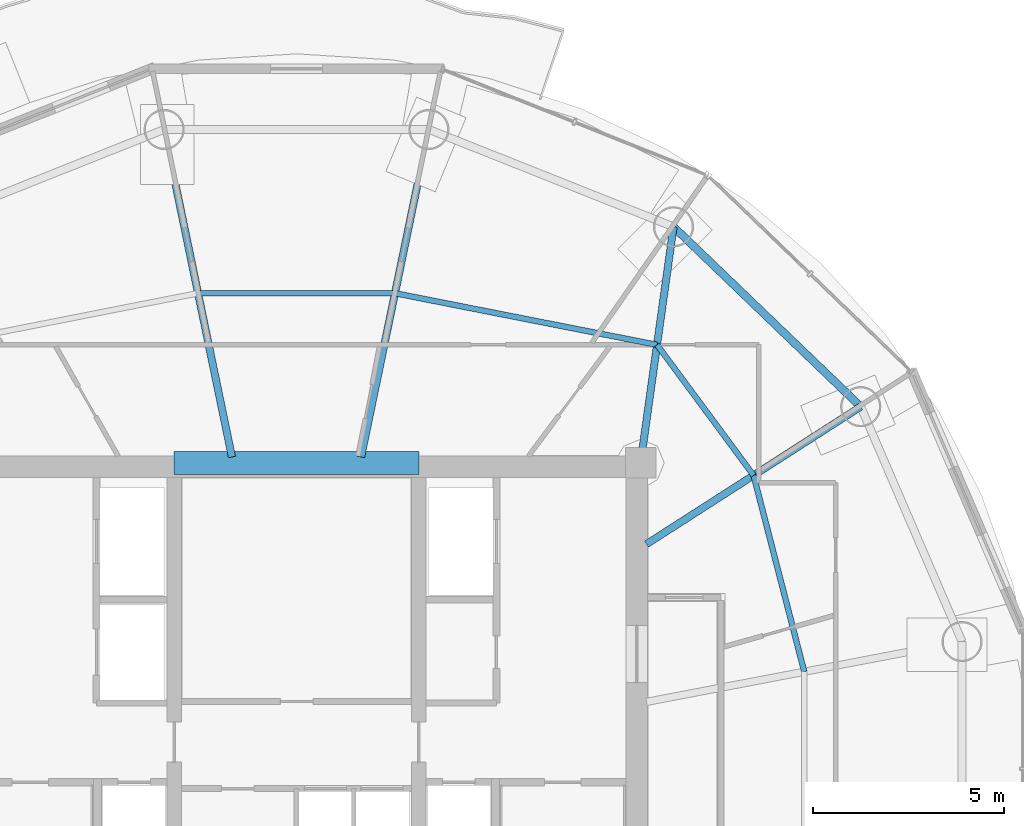
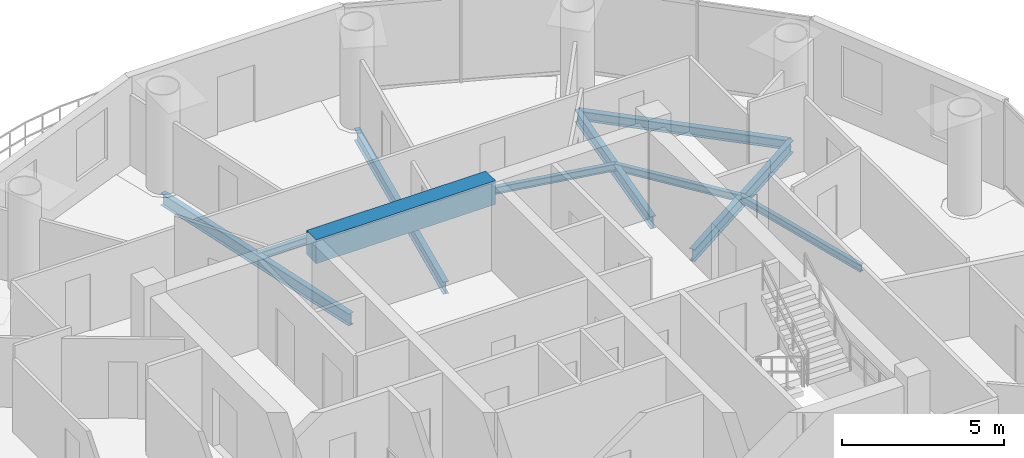
# One storey, part 10 of 23: 10 beams.
"""IFC4 building model written with IfcOpenShell, lengths in metres."""

from ifc_helpers import new_model, si_unit, direction, frame, origin, origin_2d, place, context, subcontext, project, spatial, rectangle, i_section, extrude, material, material_profile, profile_set, type_object, element, save


model = new_model("IFC4")

# Units and contexts
model_context = context("Model", 3, precision=1e-05, world=origin(), true_north=direction((-0.2419218956, 0.970295726276)))
body_context = subcontext(model_context, "Body", "Model", "MODEL_VIEW")
ifc_project = project(units=[si_unit("LENGTHUNIT", "METRE"), si_unit("AREAUNIT", "SQUARE_METRE"), si_unit("VOLUMEUNIT", "CUBIC_METRE"), si_unit("PLANEANGLEUNIT", "RADIAN"), si_unit("MASSUNIT", "GRAM", prefix="KILO")], contexts=[model_context])

# Site, building, storey
site_placement = place(None, origin())
site = spatial("IfcSite", under=ifc_project, at=site_placement, CompositionType="ELEMENT")
building_placement = place(site_placement, origin())
building = spatial("IfcBuilding", under=site, at=building_placement, Name="Cobrevalo Terracotta Tower", CompositionType="ELEMENT")
storey_placement = place(building_placement, frame((0.0, 0.0, 296.949951171875)))
storey = spatial("IfcBuildingStorey", under=building, at=storey_placement, Name="L78", CompositionType="ELEMENT", Elevation=296.949951171875)

# Beams
ifc_material_1 = material(Name="Concrete C60", Category="concrete")
ifc_material_profile_1 = material_profile(ifc_material_1, rectangle(XDim=0.60009765625, YDim=0.89990234375, at=origin_2d()), Name="RC CB 600x900")
ifc_profile_set_1 = profile_set([ifc_material_profile_1], Name="Concrete C60")
beam_type_1 = type_object("IfcBeamType", Name="Structural Beam RC CB 600x900 (Concrete C60)", PredefinedType="BEAM", material=ifc_profile_set_1)
beam_1_placement = place(storey_placement, frame((34.800048828125, 34.800048828125, 2.85009765625), z_axis=(1.0, 0.0, 0.0), x_axis=(0.0, 1.0, 0.0)))
element("IfcBeam", 1, at=beam_1_placement, inside=storey, type_object=beam_type_1, Name="L78 core coupling beam 2", PredefinedType="BEAM", context=body_context, shape_type="SweptSolid", body=[
    extrude(rectangle(XDim=0.60009765625, YDim=0.89990234375, at=origin_2d()), origin(), (0.0, 0.0, 1.0), 6.39990234375),
])
ifc_material_2 = material(Name="Steel S355", Category="steel")
ifc_material_profile_2 = material_profile(ifc_material_2, i_section(OverallWidth=0.19091796875, OverallDepth=0.4599609375, WebThickness=0.010009765625, FlangeThickness=0.01611328125, at=origin_2d()), Name="W 460x82")
ifc_profile_set_2 = profile_set([ifc_material_profile_2], Name="Steel S355")
beam_type_2 = type_object("IfcBeamType", Name="Structural Beam W 460x82 (Steel S355)", PredefinedType="BEAM", material=ifc_profile_set_2)
beam_2_placement = place(storey_placement, frame((52.758544921875, 36.2724609375, -0.489990234375), z_axis=(-0.84157615512, -0.540138477739, 0.0), x_axis=(0.540138477739, -0.84157615512, 0.0)))
element("IfcBeam", 2, at=beam_2_placement, inside=storey, type_object=beam_type_2, Name="L78 radial floor girder 02", PredefinedType="BEAM", context=body_context, shape_type="SweptSolid", body=[
    extrude(i_section(OverallWidth=0.19091796875, OverallDepth=0.4599609375, WebThickness=0.010009765625, FlangeThickness=0.01611328125, at=origin_2d()), origin(), (0.0, 0.0, 1.0), 6.658447265625),
])
beam_3_placement = place(storey_placement, frame((47.861328125, 40.9765625, -0.489990234375), z_axis=(-0.138115657759, -0.990416107039, 0.0), x_axis=(0.990416107039, -0.138115657759, 0.0)))
element("IfcBeam", 3, at=beam_3_placement, inside=storey, type_object=beam_type_2, Name="L78 radial floor girder 03", PredefinedType="BEAM", context=body_context, shape_type="SweptSolid", body=[
    extrude(i_section(OverallWidth=0.19091796875, OverallDepth=0.4599609375, WebThickness=0.010009765625, FlangeThickness=0.01611328125, at=origin_2d()), origin(), (0.0, 0.0, 1.0), 6.236328125),
])
for number, where, z_axis, x_axis, name in (
    (4, (41.462890625, 43.5224609375, -0.489990234375), (-0.202781841237, -0.9792239401, 0.0), (0.9792239401, -0.202781841237, 0.0), "L78 radial floor girder 04"),
    (5, (34.537109375, 43.5224609375, -0.489990234375), (0.202781841237, -0.9792239401, 0.0), (0.9792239401, 0.202781841237, 0.0), "L78 radial floor girder 05"),
):
    element("IfcBeam", number, at=place(storey_placement, frame(where, z_axis=z_axis, x_axis=x_axis)), inside=storey, type_object=beam_type_2, Name=name, PredefinedType="BEAM", context=body_context, shape_type="SweptSolid", body=[
        extrude(i_section(OverallWidth=0.19091796875, OverallDepth=0.4599609375, WebThickness=0.010009765625, FlangeThickness=0.01611328125, at=origin_2d()), origin(), (0.0, 0.0, 1.0), 8.749267578125),
    ])
ifc_material_profile_3 = material_profile(ifc_material_2, i_section(OverallWidth=0.14794921875, OverallDepth=0.26611328125, WebThickness=0.007568359375, FlangeThickness=0.012939453125, at=origin_2d()), Name="W 250x44.8")
ifc_profile_set_3 = profile_set([ifc_material_profile_3], Name="Steel S355")
beam_type_3 = type_object("IfcBeamType", Name="Structural Joist W 250x44.8 (Steel S355)", PredefinedType="JOIST", material=ifc_profile_set_3)
beam_4_placement = place(storey_placement, frame((51.281982421875, 29.337646484375, -0.39306640625), z_axis=(-0.249816773293, 0.968293126993, 0.0), x_axis=(-0.968293126993, -0.249816773293, 0.0)))
element("IfcBeam", 6, at=beam_4_placement, inside=storey, type_object=beam_type_3, Name="L78 circumferential secondary floor joist 01", PredefinedType="JOIST", context=body_context, shape_type="SweptSolid", body=[
    extrude(i_section(OverallWidth=0.14794921875, OverallDepth=0.26611328125, WebThickness=0.007568359375, FlangeThickness=0.012939453125, at=origin_2d()), origin(), (0.0, 0.0, 1.0), 5.3046875),
])
beam_5_placement = place(storey_placement, frame((49.956787109375, 34.47412109375, -0.39306640625), z_axis=(-0.594799916617, 0.803873783123, 0.0), x_axis=(-0.803873783123, -0.594799916617, 0.0)))
element("IfcBeam", 7, at=beam_5_placement, inside=storey, type_object=beam_type_3, Name="L78 circumferential secondary floor joist 02", PredefinedType="JOIST", context=body_context, shape_type="SweptSolid", body=[
    extrude(i_section(OverallWidth=0.14794921875, OverallDepth=0.26611328125, WebThickness=0.007568359375, FlangeThickness=0.012939453125, at=origin_2d()), origin(), (0.0, 0.0, 1.0), 4.2470703125),
])
beam_6_placement = place(storey_placement, frame((47.4306640625, 37.88818359375, -0.39306640625), z_axis=(-0.98113843359, 0.19330642548, 0.0), x_axis=(-0.19330642548, -0.98113843359, 0.0)))
element("IfcBeam", 8, at=beam_6_placement, inside=storey, type_object=beam_type_3, Name="L78 circumferential secondary floor joist 03", PredefinedType="JOIST", context=body_context, shape_type="SweptSolid", body=[
    extrude(i_section(OverallWidth=0.14794921875, OverallDepth=0.26611328125, WebThickness=0.007568359375, FlangeThickness=0.012939453125, at=origin_2d()), origin(), (0.0, 0.0, 1.0), 6.98681640625),
])
beam_7_placement = place(storey_placement, frame((40.57568359375, 39.23876953125, -0.39306640625), z_axis=(-1.0, 0.0, 0.0), x_axis=(0.0, -1.0, 0.0)))
element("IfcBeam", 9, at=beam_7_placement, inside=storey, type_object=beam_type_3, Name="L78 circumferential secondary floor joist 04", PredefinedType="JOIST", context=body_context, shape_type="SweptSolid", body=[
    extrude(i_section(OverallWidth=0.14794921875, OverallDepth=0.26611328125, WebThickness=0.007568359375, FlangeThickness=0.012939453125, at=origin_2d()), origin(), (0.0, 0.0, 1.0), 5.1513671875),
])
ifc_material_profile_4 = material_profile(ifc_material_2, i_section(OverallWidth=0.205078125, OverallDepth=0.35400390625, WebThickness=0.009521484375, FlangeThickness=0.016845703125, at=origin_2d()), Name="W 360x79")
ifc_profile_set_4 = profile_set([ifc_material_profile_4], Name="Steel S355")
beam_type_4 = type_object("IfcBeamType", Name="Structural Spandrel W 360x79 (Steel S355)", PredefinedType="SPANDREL", material=ifc_profile_set_4)
beam_8_placement = place(storey_placement, frame((52.758544921875, 36.2724609375, -0.43701171875), z_axis=(-0.721183246144, 0.692744343522, 0.0), x_axis=(-0.692744343522, -0.721183246144, 0.0)))
element("IfcBeam", 10, at=beam_8_placement, inside=storey, type_object=beam_type_4, Name="L78 perimeter ring spandrel 02", PredefinedType="SPANDREL", context=body_context, shape_type="SweptSolid", body=[
    extrude(i_section(OverallWidth=0.205078125, OverallDepth=0.35400390625, WebThickness=0.009521484375, FlangeThickness=0.016845703125, at=origin_2d()), origin(), (0.0, 0.0, 1.0), 6.79052734375),
])

save(model, "model.ifc")
